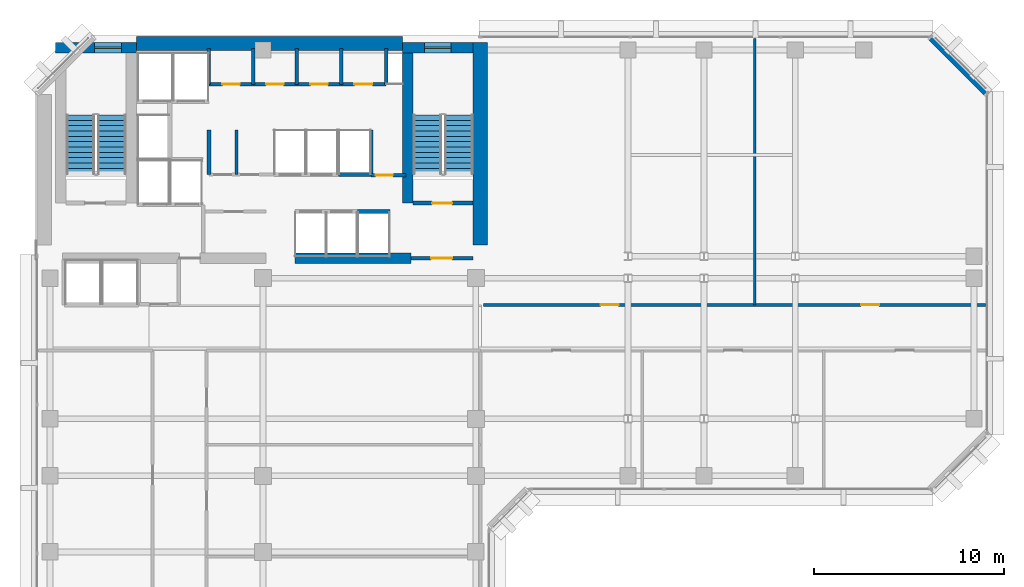
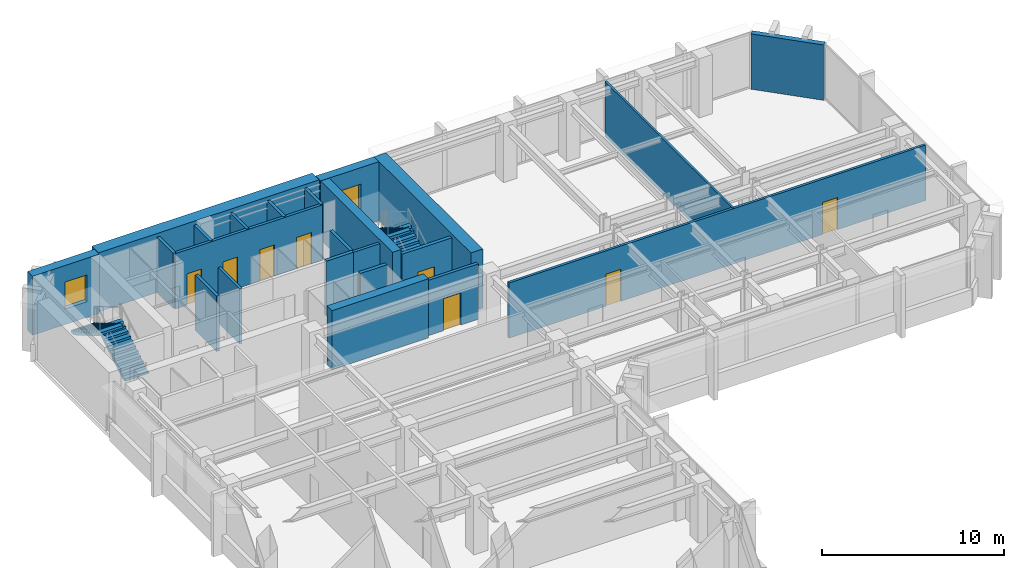
# One storey, part 8 of 11: 23 walls, 9 doors, 4 stair flights, 2 windows, 11 openings, 2 elements without a shape of their own.
"""IFC4 building model written with IfcOpenShell, lengths in metres."""

from ifc_helpers import new_model, si_unit, direction, frame, frame_2d, origin, place, context, subcontext, project, spatial, polyline, rectangle, outline, extrude, material, layer, layer_set, type_object, element, fill, aggregate, save


model = new_model("IFC4")

# Units and contexts
model_context = context("Model", 3, precision=1e-05, world=origin(), true_north=direction((0.0, 1.0)))
body_context = subcontext(model_context, "Body", "Model", "MODEL_VIEW")
ifc_project = project(units=[si_unit("LENGTHUNIT", "METRE"), si_unit("AREAUNIT", "SQUARE_METRE"), si_unit("VOLUMEUNIT", "CUBIC_METRE"), si_unit("PLANEANGLEUNIT", "RADIAN"), si_unit("MASSUNIT", "GRAM", prefix="KILO")], contexts=[model_context])

# Site, building, storey
site_placement = place(None, origin())
site = spatial("IfcSite", under=ifc_project, at=site_placement, CompositionType="ELEMENT")
building_placement = place(site_placement, origin())
building = spatial("IfcBuilding", under=site, at=building_placement, Name="Kefirva Bronze Tower", CompositionType="ELEMENT")
storey_placement = place(building_placement, frame((0.0, 0.0, 142.889892578125)))
storey = spatial("IfcBuildingStorey", under=building, at=storey_placement, Name="L34", CompositionType="ELEMENT", Elevation=142.889892578125)

# Wall
ifc_material_1 = material(Name="Gypsum acoustic partition")
ifc_layer_1 = layer(ifc_material_1, 0.1298828125, Name="Gypsum acoustic partition")
ifc_layer_set_1 = layer_set([ifc_layer_1], Name="Gypsum acoustic partition")
wall_type_1 = type_object("IfcWallType", Name="Acoustic Office Partition 130mm", PredefinedType="PARTITIONING", material=ifc_layer_set_1)
wall_1_placement = place(storey_placement, frame((37.861328125, 31.800048828125, 0.0), z_axis=(0.0, 0.0, 1.0), x_axis=(0.0, 1.0, 0.0)))
element("IfcWall", 1, at=wall_1_placement, inside=storey, type_object=wall_type_1, Name="L34 Partition W-L34-END1", PredefinedType="PARTITIONING", context=body_context, shape_type="SweptSolid", body=[
    extrude(rectangle(XDim=14.010009765625, YDim=0.1298828125, at=frame_2d((7.0048828125, 0.0))), origin(), (0.0, 0.0, 1.0), 3.710205078125),
])

# Wall, opening, door
ifc_material_2 = material(Name="Gypsum fireboard shaftwall")
ifc_layer_2 = layer(ifc_material_2, 0.219970703125, Name="Gypsum fireboard shaftwall")
ifc_layer_set_2 = layer_set([ifc_layer_2], Name="Gypsum fireboard shaftwall")
wall_type_2 = type_object("IfcWallType", Name="Fire-Rated Shaft Enclosure Wall 220mm", PredefinedType="PARTITIONING", material=ifc_layer_set_2)
wall_2_placement = place(storey_placement, frame((19.89990234375, 37.14990234375, 0.0), z_axis=(0.0, 0.0, 1.0), x_axis=(1.0, 0.0, 0.0)))
wall_2 = element("IfcWall", 2, at=wall_2_placement, inside=storey, type_object=wall_type_2, Name="L34 Partition W-L34-ST2S", PredefinedType="PARTITIONING", context=body_context, shape_type="SweptSolid", body=[
    extrude(rectangle(XDim=3.150146484375, YDim=0.219970703125, at=frame_2d((1.5751953125, 0.0))), origin(), (0.0, 0.0, 1.0), 3.710205078125),
])
opening_1_placement = place(wall_2_placement, frame((2.050048828125, 0.0, 0.0), z_axis=(0.0, 0.0, 1.0), x_axis=(-1.0, 0.0, 0.0)))
opening_1 = element("IfcOpeningElement", 3, at=opening_1_placement, cuts=wall_2, Name="Opening L34-D003", PredefinedType="OPENING", context=body_context, shape_type="SweptSolid", body=[
    extrude(rectangle(XDim=1.050048828125, YDim=2.14990234375, at=frame_2d((0.52490234375, 1.074951171875))), frame((0.0, 0.1201171875, 0.0), z_axis=(0.0, -1.0, 0.0), x_axis=(1.0, 0.0, 0.0)), (0.0, 0.0, 1.0), 0.239990234375),
])
ifc_material_3 = material(Name="Painted galvanized steel", Category="steel")
door_type_1 = type_object("IfcDoorType", Name="Fire Stair Enclosure Door 1050x2150 FD90S", OperationType="NOTDEFINED", PredefinedType="DOOR", material=ifc_material_3)
door_1_placement = place(opening_1_placement, origin())
door_1 = element("IfcDoor", 4, at=door_1_placement, inside=storey, type_object=door_type_1, Name="Door L34-D003", OperationType="SINGLE_SWING_RIGHT", OverallHeight=2.14990234375, OverallWidth=1.050048828125, PredefinedType="DOOR", context=body_context, shape_type="SweptSolid", body=[
    extrude(rectangle(XDim=1.050048828125, YDim=2.14990234375, at=frame_2d((0.52490234375, 1.074951171875))), frame((0.0, 0.02490234375, 0.0), z_axis=(0.0, -1.0, 0.0), x_axis=(1.0, 0.0, 0.0)), (0.0, 0.0, 1.0), 0.050048828125),
])
fill(opening_1, door_1)

# Walls
for number, where, z_axis, x_axis, name in (
    (5, (9.159912109375, 38.64990234375, 0.0), (0.0, 0.0, 1.0), (0.0, 1.0, 0.0), "L34 Partition W-L34-LP3W"),
    (6, (17.679931640625, 38.64990234375, 0.0), (0.0, 0.0, 1.0), (0.0, 1.0, 0.0), "L34 Partition W-L34-HP2E"),
):
    element("IfcWall", number, at=place(storey_placement, frame(where, z_axis=z_axis, x_axis=x_axis)), inside=storey, type_object=wall_type_2, Name=name, PredefinedType="PARTITIONING", context=body_context, shape_type="SweptSolid", body=[
        extrude(rectangle(XDim=2.35009765625, YDim=0.199951171875, at=frame_2d((1.175048828125, 0.0))), origin(), (0.0, 0.0, 1.0), 3.710205078125),
    ])
wall_3_placement = place(storey_placement, frame((16.97998046875, 36.699951171875, 0.0), z_axis=(0.0, 0.0, 1.0), x_axis=(1.0, 0.0, 0.0)))
element("IfcWall", 7, at=wall_3_placement, inside=storey, type_object=wall_type_2, Name="L34 Partition W-L34-HPS", PredefinedType="PARTITIONING", context=body_context, shape_type="SweptSolid", body=[
    extrude(rectangle(XDim=1.699951171875, YDim=0.219970703125, at=frame_2d((0.85009765625, 0.0))), origin(), (0.0, 0.0, 1.0), 3.710205078125),
])
wall_4_placement = place(storey_placement, frame((15.97998046875, 38.64990234375, 0.0), z_axis=(0.0, 0.0, 1.0), x_axis=(1.0, 0.0, 0.0)))
element("IfcWall", 8, at=wall_4_placement, inside=storey, type_object=wall_type_2, Name="L34 Partition W-L34-HPN", PredefinedType="PARTITIONING", context=body_context, shape_type="SweptSolid", body=[
    extrude(rectangle(XDim=1.719970703125, YDim=0.219970703125, at=frame_2d((0.85986328125, 0.0))), origin(), (0.0, 0.0, 1.0), 3.710205078125),
])

# Wall, opening, door
ifc_material_4 = material(Name="Gypsum fireboard barrier")
ifc_layer_3 = layer(ifc_material_4, 0.199951171875, Name="Gypsum fireboard barrier")
ifc_layer_set_3 = layer_set([ifc_layer_3], Name="Gypsum fireboard barrier")
wall_type_3 = type_object("IfcWallType", Name="Firefighting Lobby Barrier Wall 200mm", PredefinedType="PARTITIONING", material=ifc_layer_set_3)
wall_5_placement = place(storey_placement, frame((19.800048828125, 34.25, 0.0), z_axis=(0.0, 0.0, 1.0), x_axis=(1.0, 0.0, 0.0)))
wall_5 = element("IfcWall", 9, at=wall_5_placement, inside=storey, type_object=wall_type_3, Name="L34 Partition W-L34-ST2F", PredefinedType="PARTITIONING", context=body_context, shape_type="SweptSolid", body=[
    extrude(rectangle(XDim=3.25, YDim=0.199951171875, at=frame_2d((1.625, 0.0))), origin(), (0.0, 0.0, 1.0), 3.710205078125),
])
opening_2_placement = place(wall_5_placement, frame((2.150146484375, 0.0, 0.0), z_axis=(0.0, 0.0, 1.0), x_axis=(-1.0, 0.0, 0.0)))
opening_2 = element("IfcOpeningElement", 10, at=opening_2_placement, cuts=wall_5, Name="Opening L34-D004", PredefinedType="OPENING", context=body_context, shape_type="SweptSolid", body=[
    extrude(rectangle(XDim=1.10009765625, YDim=2.14990234375, at=frame_2d((0.550048828125, 1.074951171875))), frame((0.0, 0.10986328125, 0.0), z_axis=(0.0, -1.0, 0.0), x_axis=(1.0, 0.0, 0.0)), (0.0, 0.0, 1.0), 0.219970703125),
])
door_type_2 = type_object("IfcDoorType", Name="Firefighting Lobby Smoke Door 1100x2150 FD60S", OperationType="NOTDEFINED", PredefinedType="DOOR", material=ifc_material_3)
door_2_placement = place(opening_2_placement, origin())
door_2 = element("IfcDoor", 11, at=door_2_placement, inside=storey, type_object=door_type_2, Name="Door L34-D004", OperationType="SINGLE_SWING_LEFT", OverallHeight=2.14990234375, OverallWidth=1.10009765625, PredefinedType="DOOR", context=body_context, shape_type="SweptSolid", body=[
    extrude(rectangle(XDim=1.10009765625, YDim=2.14990234375, at=frame_2d((0.550048828125, 1.074951171875))), frame((0.0, 0.02490234375, 0.0), z_axis=(0.0, -1.0, 0.0), x_axis=(1.0, 0.0, 0.0)), (0.0, 0.0, 1.0), 0.050048828125),
])
fill(opening_2, door_2)

wall_6_placement = place(storey_placement, frame((17.679931640625, 38.6201171875, 0.0), z_axis=(0.0, 0.0, 1.0), x_axis=(1.0, 0.0, 0.0)))
wall_6 = element("IfcWall", 12, at=wall_6_placement, inside=storey, type_object=wall_type_3, Name="L34 Partition W-L34-CPASS", PredefinedType="PARTITIONING", context=body_context, shape_type="SweptSolid", body=[
    extrude(rectangle(XDim=1.840087890625, YDim=0.179931640625, at=frame_2d((0.919921875, 0.0))), origin(), (0.0, 0.0, 1.0), 3.710205078125),
])
opening_3_placement = place(wall_6_placement, frame((0.239990234375, 0.0, 0.0)))
opening_3 = element("IfcOpeningElement", 13, at=opening_3_placement, cuts=wall_6, Name="Opening L34-D-CPAS", PredefinedType="OPENING", context=body_context, shape_type="SweptSolid", body=[
    extrude(rectangle(XDim=0.919921875, YDim=2.10009765625, at=frame_2d((0.4599609375, 1.050048828125))), frame((0.0, 0.10009765625, 0.0), z_axis=(0.0, -1.0, 0.0), x_axis=(1.0, 0.0, 0.0)), (0.0, 0.0, 1.0), 0.199951171875),
])
ifc_material_5 = material(Name="Moisture-resistant timber", Category="wood")
door_type_3 = type_object("IfcDoorType", Name="Accessible Sanitary & WC Door 920x2100", OperationType="NOTDEFINED", PredefinedType="DOOR", material=ifc_material_5)
door_3_placement = place(opening_3_placement, origin())
door_3 = element("IfcDoor", 14, at=door_3_placement, inside=storey, type_object=door_type_3, Name="Door L34-D-CPAS", OperationType="SINGLE_SWING_RIGHT", OverallHeight=2.10009765625, OverallWidth=0.919921875, PredefinedType="DOOR", context=body_context, shape_type="SweptSolid", body=[
    extrude(rectangle(XDim=0.919921875, YDim=2.10009765625, at=frame_2d((0.4599609375, 1.050048828125))), frame((0.0, 0.02490234375, 0.0), z_axis=(0.0, -1.0, 0.0), x_axis=(1.0, 0.0, 0.0)), (0.0, 0.0, 1.0), 0.050048828125),
])
fill(opening_3, door_3)

# Walls
ifc_material_6 = material(Name="Precast concrete C40/50", Category="concrete")
ifc_layer_4 = layer(ifc_material_6, 0.320068359375, Name="Precast concrete C40/50")
ifc_layer_set_4 = layer_set([ifc_layer_4], Name="Precast concrete C40/50")
wall_type_4 = type_object("IfcWallType", Name="Precast Insulated Exterior Wall 320mm", PredefinedType="SOLIDWALL", material=ifc_layer_set_4)
wall_7_placement = place(storey_placement, frame((50.048095703125, 42.92578125, 0.0), z_axis=(0.0, 0.0, 1.0), x_axis=(-0.707136318428, 0.707077242712, 0.0)))
element("IfcWall", 15, at=wall_7_placement, inside=storey, type_object=wall_type_4, Name="L34 Exterior Facade Wall 4", PredefinedType="SOLIDWALL", context=body_context, shape_type="SweptSolid", body=[
    extrude(rectangle(XDim=4.132568359375, YDim=0.320068359375, at=frame_2d((2.06640625, 0.0))), origin(), (0.0, 0.0, 1.0), 3.710205078125),
])
ifc_layer_5 = layer(ifc_material_1, 0.159912109375, Name="Gypsum acoustic partition")
ifc_layer_set_5 = layer_set([ifc_layer_5], Name="Gypsum acoustic partition")
wall_type_5 = type_object("IfcWallType", Name="Protected Corridor Partition 160mm", PredefinedType="PARTITIONING", material=ifc_layer_set_5)
wall_8_placement = place(storey_placement, frame((10.60009765625, 38.64990234375, 0.0), z_axis=(0.0, 0.0, 1.0), x_axis=(0.0, 1.0, 0.0)))
element("IfcWall", 16, at=wall_8_placement, inside=storey, type_object=wall_type_5, Name="L34 Partition W-L34-RECLP2D", PredefinedType="PARTITIONING", context=body_context, shape_type="SweptSolid", body=[
    extrude(rectangle(XDim=2.35009765625, YDim=0.159912109375, at=frame_2d((1.175048828125, 0.0))), origin(), (0.0, 0.0, 1.0), 3.710205078125),
])

# Wall, openings, doors
wall_9_placement = place(storey_placement, frame((23.60009765625, 31.800048828125, 0.0), z_axis=(0.0, 0.0, 1.0), x_axis=(1.0, 0.0, 0.0)))
wall_9 = element("IfcWall", 17, at=wall_9_placement, inside=storey, type_object=wall_type_5, Name="L34 Partition W-L34-EWN", PredefinedType="PARTITIONING", context=body_context, shape_type="SweptSolid", body=[
    extrude(rectangle(XDim=26.409912109375, YDim=0.159912109375, at=frame_2d((13.205078125, 0.0))), origin(), (0.0, 0.0, 1.0), 3.710205078125),
])
opening_4_placement = place(wall_9_placement, frame((6.15576171875, 0.0, 0.0)))
opening_4 = element("IfcOpeningElement", 18, at=opening_4_placement, cuts=wall_9, Name="Opening L34-D-EN1", PredefinedType="OPENING", context=body_context, shape_type="SweptSolid", body=[
    extrude(rectangle(XDim=0.949951171875, YDim=2.14990234375, at=frame_2d((0.47509765625, 1.074951171875))), frame((0.0, 0.08984375, 0.0), z_axis=(0.0, -1.0, 0.0), x_axis=(1.0, 0.0, 0.0)), (0.0, 0.0, 1.0), 0.179931640625),
])
opening_5_placement = place(wall_9_placement, frame((19.860595703125, 0.0, 0.0)))
opening_5 = element("IfcOpeningElement", 19, at=opening_5_placement, cuts=wall_9, Name="Opening L34-D-EN2", PredefinedType="OPENING", context=body_context, shape_type="SweptSolid", body=[
    extrude(rectangle(XDim=0.949951171875, YDim=2.14990234375, at=frame_2d((0.47509765625, 1.074951171875))), frame((0.0, 0.08984375, 0.0), z_axis=(0.0, -1.0, 0.0), x_axis=(1.0, 0.0, 0.0)), (0.0, 0.0, 1.0), 0.179931640625),
])
ifc_material_7 = material(Name="Acoustic hardwood oak", Category="wood")
door_type_4 = type_object("IfcDoorType", Name="Office & Meeting Room Door 950x2150", OperationType="NOTDEFINED", PredefinedType="DOOR", material=ifc_material_7)
door_4_placement = place(opening_4_placement, origin())
door_4 = element("IfcDoor", 20, at=door_4_placement, inside=storey, type_object=door_type_4, Name="Door L34-D-EN1", OperationType="SINGLE_SWING_RIGHT", OverallHeight=2.14990234375, OverallWidth=0.949951171875, PredefinedType="DOOR", context=body_context, shape_type="SweptSolid", body=[
    extrude(rectangle(XDim=0.949951171875, YDim=2.14990234375, at=frame_2d((0.47509765625, 1.074951171875))), frame((0.0, 0.02490234375, 0.0), z_axis=(0.0, -1.0, 0.0), x_axis=(1.0, 0.0, 0.0)), (0.0, 0.0, 1.0), 0.050048828125),
])
fill(opening_4, door_4)
door_5_placement = place(opening_5_placement, origin())
door_5 = element("IfcDoor", 21, at=door_5_placement, inside=storey, type_object=door_type_4, Name="Door L34-D-EN2", OperationType="SINGLE_SWING_LEFT", OverallHeight=2.14990234375, OverallWidth=0.949951171875, PredefinedType="DOOR", context=body_context, shape_type="SweptSolid", body=[
    extrude(rectangle(XDim=0.949951171875, YDim=2.14990234375, at=frame_2d((0.47509765625, 1.074951171875))), frame((0.0, 0.02490234375, 0.0), z_axis=(0.0, -1.0, 0.0), x_axis=(1.0, 0.0, 0.0)), (0.0, 0.0, 1.0), 0.050048828125),
])
fill(opening_5, door_5)

# Wall, opening, window
ifc_material_8 = material(Name="Concrete C50/60", Category="concrete")
ifc_layer_6 = layer(ifc_material_8, 0.550048828125, Name="Concrete C50/60")
ifc_layer_set_6 = layer_set([ifc_layer_6], Name="Concrete C50/60")
wall_type_6 = type_object("IfcWallType", Name="RC Rear Core Exterior Wall 550mm", PredefinedType="SHEAR", material=ifc_layer_set_6)
wall_10_placement = place(storey_placement, frame((1.10009765625, 45.320068359375, 0.0), z_axis=(0.0, 0.0, 1.0), x_axis=(1.0, 0.0, 0.0)))
wall_10 = element("IfcWall", 22, at=wall_10_placement, inside=storey, type_object=wall_type_6, Name="L34 Stair 1 North Shear Wall", PredefinedType="SHEAR", context=body_context, shape_type="SweptSolid", body=[
    extrude(rectangle(XDim=4.239990234375, YDim=0.550048828125, at=frame_2d((2.1201171875, 0.0))), origin(), (0.0, 0.0, 1.0), 3.960205078125),
])
opening_6_placement = place(wall_10_placement, frame((2.050048828125, 0.0, 1.050048828125)))
opening_6 = element("IfcOpeningElement", 23, at=opening_6_placement, cuts=wall_10, Name="Opening WN-03", PredefinedType="OPENING", context=body_context, shape_type="SweptSolid", body=[
    extrude(rectangle(XDim=1.39990234375, YDim=1.800048828125, at=frame_2d((0.699951171875, 0.89990234375))), frame((0.0, 0.28515625, 0.0), z_axis=(0.0, -1.0, 0.0), x_axis=(1.0, 0.0, 0.0)), (0.0, 0.0, 1.0), 0.570068359375),
])
ifc_material_9 = material(Name="Laminated low-E double glazing", Category="glass")
window_type = type_object("IfcWindowType", Name="Rear-Core Stair Daylight Window 1400x1800", PartitioningType="SINGLE_PANEL", PredefinedType="WINDOW", material=ifc_material_9)
window_1_placement = place(opening_6_placement, origin())
window_1 = element("IfcWindow", 24, at=window_1_placement, inside=storey, type_object=window_type, Name="L34 Stair 1 Daylight Window", OverallHeight=1.800048828125, OverallWidth=1.39990234375, PartitioningType="SINGLE_PANEL", PredefinedType="WINDOW", context=body_context, shape_type="SweptSolid", body=[
    extrude(rectangle(XDim=1.39990234375, YDim=1.800048828125, at=frame_2d((0.699951171875, 0.89990234375))), frame((0.0, 0.030029296875, 0.0), z_axis=(0.0, -1.0, 0.0), x_axis=(1.0, 0.0, 0.0)), (0.0, 0.0, 1.0), 0.06005859375),
])
fill(opening_6, window_1)

wall_11_placement = place(storey_placement, frame((19.35009765625, 45.320068359375, 0.0), z_axis=(0.0, 0.0, 1.0), x_axis=(1.0, 0.0, 0.0)))
wall_11 = element("IfcWall", 25, at=wall_11_placement, inside=storey, type_object=wall_type_6, Name="L34 Stair 2 North Shear Wall", PredefinedType="SHEAR", context=body_context, shape_type="SweptSolid", body=[
    extrude(rectangle(XDim=3.68994140625, YDim=0.550048828125, at=frame_2d((1.844970703125, 0.0))), origin(), (0.0, 0.0, 1.0), 3.960205078125),
])
opening_7_placement = place(wall_11_placement, frame((1.14990234375, 0.0, 1.050048828125)))
opening_7 = element("IfcOpeningElement", 26, at=opening_7_placement, cuts=wall_11, Name="Opening WN-03", PredefinedType="OPENING", context=body_context, shape_type="SweptSolid", body=[
    extrude(rectangle(XDim=1.39990234375, YDim=1.800048828125, at=frame_2d((0.699951171875, 0.89990234375))), frame((0.0, 0.28515625, 0.0), z_axis=(0.0, -1.0, 0.0), x_axis=(1.0, 0.0, 0.0)), (0.0, 0.0, 1.0), 0.570068359375),
])
window_2_placement = place(opening_7_placement, origin())
window_2 = element("IfcWindow", 27, at=window_2_placement, inside=storey, type_object=window_type, Name="L34 Stair 2 Daylight Window", OverallHeight=1.800048828125, OverallWidth=1.39990234375, PartitioningType="SINGLE_PANEL", PredefinedType="WINDOW", context=body_context, shape_type="SweptSolid", body=[
    extrude(rectangle(XDim=1.39990234375, YDim=1.800048828125, at=frame_2d((0.699951171875, 0.89990234375))), frame((0.0, 0.030029296875, 0.0), z_axis=(0.0, -1.0, 0.0), x_axis=(1.0, 0.0, 0.0)), (0.0, 0.0, 1.0), 0.06005859375),
])
fill(opening_7, window_2)

# Walls
ifc_material_10 = material(Name="Concrete C60/75", Category="concrete")
ifc_layer_7 = layer(ifc_material_10, 0.75, Name="Concrete C60/75")
ifc_layer_set_7 = layer_set([ifc_layer_7], Name="Concrete C60/75")
wall_type_7 = type_object("IfcWallType", Name="RC Rear Core Exterior Wall 750mm", PredefinedType="SHEAR", material=ifc_layer_set_7)
wall_12_placement = place(storey_placement, frame((5.360107421875, 45.550048828125, 0.0), z_axis=(0.0, 0.0, 1.0), x_axis=(1.0, 0.0, 0.0)))
element("IfcWall", 28, at=wall_12_placement, inside=storey, type_object=wall_type_7, Name="L34 Rear Core North Shear Wall", PredefinedType="SHEAR", context=body_context, shape_type="SweptSolid", body=[
    extrude(rectangle(XDim=13.97998046875, YDim=0.75, at=frame_2d((6.989990234375, 0.0))), origin(), (0.0, 0.0, 1.0), 3.960205078125),
])
ifc_layer_8 = layer(ifc_material_8, 0.550048828125, Name="Concrete C50/60")
ifc_layer_set_8 = layer_set([ifc_layer_8], Name="Concrete C50/60")
wall_type_8 = type_object("IfcWallType", Name="RC Rear Core Interior Wall 550mm", PredefinedType="SHEAR", material=ifc_layer_set_8)
wall_13_placement = place(storey_placement, frame((19.6201171875, 37.14990234375, 0.0), z_axis=(0.0, 0.0, 1.0), x_axis=(0.0, 1.0, 0.0)))
element("IfcWall", 29, at=wall_13_placement, inside=storey, type_object=wall_type_8, Name="L34 Stair 2 West Shear Wall", PredefinedType="SHEAR", context=body_context, shape_type="SweptSolid", body=[
    extrude(rectangle(XDim=7.89013671875, YDim=0.550048828125, at=frame_2d((3.945068359375, 0.0))), origin(), (0.0, 0.0, 1.0), 3.960205078125),
])
ifc_layer_9 = layer(ifc_material_10, 0.75, Name="Concrete C60/75")
ifc_layer_set_9 = layer_set([ifc_layer_9], Name="Concrete C60/75")
wall_type_9 = type_object("IfcWallType", Name="RC Rear Core Interior Wall 750mm", PredefinedType="SHEAR", material=ifc_layer_set_9)
wall_14_placement = place(storey_placement, frame((23.425048828125, 34.949951171875, 0.0), z_axis=(0.0, 0.0, 1.0), x_axis=(0.0, 1.0, 0.0)))
element("IfcWall", 30, at=wall_14_placement, inside=storey, type_object=wall_type_9, Name="L34 Rear Core East Shear Wall", PredefinedType="SHEAR", context=body_context, shape_type="SweptSolid", body=[
    extrude(rectangle(XDim=10.64013671875, YDim=0.75, at=frame_2d((5.320068359375, 0.0))), origin(), (0.0, 0.0, 1.0), 3.960205078125),
])
wall_15_placement = place(storey_placement, frame((13.679931640625, 34.25, 0.0), z_axis=(0.0, 0.0, 1.0), x_axis=(1.0, 0.0, 0.0)))
element("IfcWall", 31, at=wall_15_placement, inside=storey, type_object=wall_type_9, Name="L34 Rear Core South-East Shear Wall", PredefinedType="SHEAR", context=body_context, shape_type="SweptSolid", body=[
    extrude(rectangle(XDim=6.1201171875, YDim=0.550048828125, at=frame_2d((3.06005859375, 0.0))), origin(), (0.0, 0.0, 1.0), 3.960205078125),
])

# Wall, openings, doors
ifc_material_11 = material(Name="Moisture-resistant partition")
ifc_layer_10 = layer(ifc_material_11, 0.179931640625, Name="Moisture-resistant partition")
ifc_layer_set_10 = layer_set([ifc_layer_10], Name="Moisture-resistant partition")
wall_type_10 = type_object("IfcWallType", Name="Sanitary Plumbing Chase Wall 180mm", PredefinedType="PLUMBINGWALL", material=ifc_layer_set_10)
wall_16_placement = place(storey_placement, frame((9.14990234375, 43.39990234375, 0.0), z_axis=(0.0, 0.0, 1.0), x_axis=(1.0, 0.0, 0.0)))
wall_16 = element("IfcWall", 32, at=wall_16_placement, inside=storey, type_object=wall_type_10, Name="L34 Partition W-L34-SVCS", PredefinedType="PLUMBINGWALL", context=body_context, shape_type="SweptSolid", body=[
    extrude(rectangle(XDim=9.330078125, YDim=0.179931640625, at=frame_2d((4.6650390625, 0.0))), origin(), (0.0, 0.0, 1.0), 3.710205078125),
])
opening_8_placement = place(wall_16_placement, frame((0.719970703125, 0.0, 0.0)))
opening_8 = element("IfcOpeningElement", 33, at=opening_8_placement, cuts=wall_16, Name="Opening L34-D-CSVC1", PredefinedType="OPENING", context=body_context, shape_type="SweptSolid", body=[
    extrude(rectangle(XDim=0.919921875, YDim=2.10009765625, at=frame_2d((0.4599609375, 1.050048828125))), frame((0.0, 0.10009765625, 0.0), z_axis=(0.0, -1.0, 0.0), x_axis=(1.0, 0.0, 0.0)), (0.0, 0.0, 1.0), 0.199951171875),
])
opening_9_placement = place(wall_16_placement, frame((3.02001953125, 0.0, 0.0)))
opening_9 = element("IfcOpeningElement", 34, at=opening_9_placement, cuts=wall_16, Name="Opening L34-D-CSVC2", PredefinedType="OPENING", context=body_context, shape_type="SweptSolid", body=[
    extrude(rectangle(XDim=0.919921875, YDim=2.10009765625, at=frame_2d((0.4599609375, 1.050048828125))), frame((0.0, 0.10009765625, 0.0), z_axis=(0.0, -1.0, 0.0), x_axis=(1.0, 0.0, 0.0)), (0.0, 0.0, 1.0), 0.199951171875),
])
opening_10_placement = place(wall_16_placement, frame((5.340087890625, 0.0, 0.0)))
opening_10 = element("IfcOpeningElement", 35, at=opening_10_placement, cuts=wall_16, Name="Opening L34-D-CSVC3", PredefinedType="OPENING", context=body_context, shape_type="SweptSolid", body=[
    extrude(rectangle(XDim=0.919921875, YDim=2.10009765625, at=frame_2d((0.4599609375, 1.050048828125))), frame((0.0, 0.10009765625, 0.0), z_axis=(0.0, -1.0, 0.0), x_axis=(1.0, 0.0, 0.0)), (0.0, 0.0, 1.0), 0.199951171875),
])
opening_11_placement = place(wall_16_placement, frame((7.659912109375, 0.0, 0.0)))
opening_11 = element("IfcOpeningElement", 36, at=opening_11_placement, cuts=wall_16, Name="Opening L34-D-CSVC4", PredefinedType="OPENING", context=body_context, shape_type="SweptSolid", body=[
    extrude(rectangle(XDim=0.949951171875, YDim=2.10009765625, at=frame_2d((0.47509765625, 1.050048828125))), frame((0.0, 0.10009765625, 0.0), z_axis=(0.0, -1.0, 0.0), x_axis=(1.0, 0.0, 0.0)), (0.0, 0.0, 1.0), 0.199951171875),
])
door_6_placement = place(opening_8_placement, origin())
door_6 = element("IfcDoor", 37, at=door_6_placement, inside=storey, type_object=door_type_3, Name="Door L34-D-CSVC1", OperationType="SINGLE_SWING_LEFT", OverallHeight=2.10009765625, OverallWidth=0.919921875, PredefinedType="DOOR", context=body_context, shape_type="SweptSolid", body=[
    extrude(rectangle(XDim=0.919921875, YDim=2.10009765625, at=frame_2d((0.4599609375, 1.050048828125))), frame((0.0, 0.02490234375, 0.0), z_axis=(0.0, -1.0, 0.0), x_axis=(1.0, 0.0, 0.0)), (0.0, 0.0, 1.0), 0.050048828125),
])
fill(opening_8, door_6)
door_7_placement = place(opening_9_placement, origin())
door_7 = element("IfcDoor", 38, at=door_7_placement, inside=storey, type_object=door_type_3, Name="Door L34-D-CSVC2", OperationType="SINGLE_SWING_RIGHT", OverallHeight=2.10009765625, OverallWidth=0.919921875, PredefinedType="DOOR", context=body_context, shape_type="SweptSolid", body=[
    extrude(rectangle(XDim=0.919921875, YDim=2.10009765625, at=frame_2d((0.4599609375, 1.050048828125))), frame((0.0, 0.02490234375, 0.0), z_axis=(0.0, -1.0, 0.0), x_axis=(1.0, 0.0, 0.0)), (0.0, 0.0, 1.0), 0.050048828125),
])
fill(opening_9, door_7)
door_8_placement = place(opening_10_placement, origin())
door_8 = element("IfcDoor", 39, at=door_8_placement, inside=storey, type_object=door_type_3, Name="Door L34-D-CSVC3", OperationType="SINGLE_SWING_LEFT", OverallHeight=2.10009765625, OverallWidth=0.919921875, PredefinedType="DOOR", context=body_context, shape_type="SweptSolid", body=[
    extrude(rectangle(XDim=0.919921875, YDim=2.10009765625, at=frame_2d((0.4599609375, 1.050048828125))), frame((0.0, 0.02490234375, 0.0), z_axis=(0.0, -1.0, 0.0), x_axis=(1.0, 0.0, 0.0)), (0.0, 0.0, 1.0), 0.050048828125),
])
fill(opening_10, door_8)
door_type_5 = type_object("IfcDoorType", Name="Riser & Plant Shaft Fire Door 950x2100 FD60S", OperationType="NOTDEFINED", PredefinedType="DOOR", material=ifc_material_3)
door_9_placement = place(opening_11_placement, origin())
door_9 = element("IfcDoor", 40, at=door_9_placement, inside=storey, type_object=door_type_5, Name="Door L34-D-CSVC4", OperationType="SINGLE_SWING_RIGHT", OverallHeight=2.10009765625, OverallWidth=0.949951171875, PredefinedType="DOOR", context=body_context, shape_type="SweptSolid", body=[
    extrude(rectangle(XDim=0.949951171875, YDim=2.10009765625, at=frame_2d((0.47509765625, 1.050048828125))), frame((0.0, 0.02490234375, 0.0), z_axis=(0.0, -1.0, 0.0), x_axis=(1.0, 0.0, 0.0)), (0.0, 0.0, 1.0), 0.050048828125),
])
fill(opening_11, door_9)

# Walls
for number, where, z_axis, x_axis, name in (
    (41, (9.14990234375, 43.39990234375, 0.0), (0.0, 0.0, 1.0), (0.0, 1.0, 0.0), "L34 Partition W-L34-SVCW"),
    (42, (18.47998046875, 43.39990234375, 0.0), (0.0, 0.0, 1.0), (0.0, 1.0, 0.0), "L34 Partition W-L34-SVCE"),
    (43, (11.47998046875, 43.39990234375, 0.0), (0.0, 0.0, 1.0), (0.0, 1.0, 0.0), "L34 Partition W-L34-CSVD-1"),
    (44, (13.780029296875, 43.39990234375, 0.0), (0.0, 0.0, 1.0), (0.0, 1.0, 0.0), "L34 Partition W-L34-CSVD-2"),
    (45, (16.1201171875, 43.39990234375, 0.0), (0.0, 0.0, 1.0), (0.0, 1.0, 0.0), "L34 Partition W-L34-CSVD-3"),
):
    element("IfcWall", number, at=place(storey_placement, frame(where, z_axis=z_axis, x_axis=x_axis)), inside=storey, type_object=wall_type_10, Name=name, PredefinedType="PLUMBINGWALL", context=body_context, shape_type="SweptSolid", body=[
        extrude(rectangle(XDim=1.880126953125, YDim=0.179931640625, at=frame_2d((0.93994140625, 0.0))), origin(), (0.0, 0.0, 1.0), 3.710205078125),
    ])

# Stair, stair flights
ifc_material_12 = material(Name="Concrete C40/50", Category="concrete")
stair_type = type_object("IfcStairType", Name="RC Dogleg Protected Stair 24R", PredefinedType="HALF_TURN_STAIR", material=ifc_material_12)
stair_1_placement = place(storey_placement, origin())
stair_1 = element("IfcStair", 46, at=stair_1_placement, inside=storey, type_object=stair_type, Name="L34 Protected Exit Stair 1", PredefinedType="HALF_TURN_STAIR")
stair_flight_type = type_object("IfcStairFlightType", Name="RC Straight Stair Flight 24R", PredefinedType="STRAIGHT", material=ifc_material_12)
stair_flight_1_placement = place(storey_placement, frame((4.050048828125, 38.699951171875, 0.0), z_axis=(0.0, 0.0, 1.0), x_axis=(0.0, 1.0, 0.0)))
stair_flight_1 = element("IfcStairFlight", 47, at=stair_flight_1_placement, type_object=stair_flight_type, Name="ST-1 flight 1", NumberOfRisers=12, NumberOfTreads=11, PredefinedType="STRAIGHT", RiserHeight=0.165, TreadLength=0.28, context=body_context, shape_type="SweptSolid", body=[
    extrude(outline(polyline([(0.0, 0.0), (0.0, 0.1650390625), (0.280029296875, 0.1650390625), (0.280029296875, 0.330078125), (0.56005859375, 0.330078125), (0.56005859375, 0.4951171875), (0.840087890625, 0.4951171875), (0.840087890625, 0.659912109375), (1.1201171875, 0.659912109375), (1.1201171875, 0.824951171875), (1.39990234375, 0.824951171875), (1.39990234375, 0.989990234375), (1.679931640625, 0.989990234375), (1.679931640625, 1.155029296875), (1.9599609375, 1.155029296875), (1.9599609375, 1.320068359375), (2.239990234375, 1.320068359375), (2.239990234375, 1.485107421875), (2.52001953125, 1.485107421875), (2.52001953125, 1.64990234375), (2.800048828125, 1.64990234375), (2.800048828125, 1.81494140625), (3.080078125, 1.81494140625), (3.080078125, 1.97998046875), (3.080078125, 1.64111328125), (0.295166015625, 0.0), (0.0, 0.0)])), frame((0.0, 0.75, 0.0), z_axis=(0.0, -1.0, 0.0), x_axis=(1.0, 0.0, 0.0)), (0.0, 0.0, 1.0), 1.5),
])
stair_flight_2_placement = place(storey_placement, frame((2.39990234375, 41.780029296875, 1.980224609375), z_axis=(0.0, 0.0, 1.0), x_axis=(0.0, -1.0, 0.0)))
stair_flight_2 = element("IfcStairFlight", 48, at=stair_flight_2_placement, type_object=stair_flight_type, Name="ST-1 flight 2", NumberOfRisers=12, NumberOfTreads=11, PredefinedType="STRAIGHT", RiserHeight=0.165, TreadLength=0.28, context=body_context, shape_type="SweptSolid", body=[
    extrude(outline(polyline([(0.0, 0.0), (0.0, 0.1650390625), (0.280029296875, 0.1650390625), (0.280029296875, 0.330078125), (0.56005859375, 0.330078125), (0.56005859375, 0.4951171875), (0.840087890625, 0.4951171875), (0.840087890625, 0.659912109375), (1.1201171875, 0.659912109375), (1.1201171875, 0.824951171875), (1.39990234375, 0.824951171875), (1.39990234375, 0.989990234375), (1.679931640625, 0.989990234375), (1.679931640625, 1.155029296875), (1.9599609375, 1.155029296875), (1.9599609375, 1.320068359375), (2.239990234375, 1.320068359375), (2.239990234375, 1.485107421875), (2.52001953125, 1.485107421875), (2.52001953125, 1.64990234375), (2.800048828125, 1.64990234375), (2.800048828125, 1.81494140625), (3.080078125, 1.81494140625), (3.080078125, 1.97998046875), (3.080078125, 1.64111328125), (0.295166015625, 0.0), (0.0, 0.0)])), frame((0.0, 0.75, 0.0), z_axis=(0.0, -1.0, 0.0), x_axis=(1.0, 0.0, 0.0)), (0.0, 0.0, 1.0), 1.5),
])
aggregate(stair_1, [stair_flight_1, stair_flight_2])

stair_2_placement = place(storey_placement, origin())
stair_2 = element("IfcStair", 49, at=stair_2_placement, inside=storey, type_object=stair_type, Name="L34 Protected Exit Stair 2", PredefinedType="HALF_TURN_STAIR")
stair_flight_3_placement = place(storey_placement, frame((22.300048828125, 38.699951171875, 0.0), z_axis=(0.0, 0.0, 1.0), x_axis=(0.0, 1.0, 0.0)))
stair_flight_3 = element("IfcStairFlight", 50, at=stair_flight_3_placement, type_object=stair_flight_type, Name="ST-2 flight 1", NumberOfRisers=12, NumberOfTreads=11, PredefinedType="STRAIGHT", RiserHeight=0.165, TreadLength=0.28, context=body_context, shape_type="SweptSolid", body=[
    extrude(outline(polyline([(0.0, 0.0), (0.0, 0.1650390625), (0.280029296875, 0.1650390625), (0.280029296875, 0.330078125), (0.56005859375, 0.330078125), (0.56005859375, 0.4951171875), (0.840087890625, 0.4951171875), (0.840087890625, 0.659912109375), (1.1201171875, 0.659912109375), (1.1201171875, 0.824951171875), (1.39990234375, 0.824951171875), (1.39990234375, 0.989990234375), (1.679931640625, 0.989990234375), (1.679931640625, 1.155029296875), (1.9599609375, 1.155029296875), (1.9599609375, 1.320068359375), (2.239990234375, 1.320068359375), (2.239990234375, 1.485107421875), (2.52001953125, 1.485107421875), (2.52001953125, 1.64990234375), (2.800048828125, 1.64990234375), (2.800048828125, 1.81494140625), (3.080078125, 1.81494140625), (3.080078125, 1.97998046875), (3.080078125, 1.64111328125), (0.295166015625, 0.0), (0.0, 0.0)])), frame((0.0, 0.75, 0.0), z_axis=(0.0, -1.0, 0.0), x_axis=(1.0, 0.0, 0.0)), (0.0, 0.0, 1.0), 1.5),
])
stair_flight_4_placement = place(storey_placement, frame((20.64990234375, 41.780029296875, 1.980224609375), z_axis=(0.0, 0.0, 1.0), x_axis=(0.0, -1.0, 0.0)))
stair_flight_4 = element("IfcStairFlight", 51, at=stair_flight_4_placement, type_object=stair_flight_type, Name="ST-2 flight 2", NumberOfRisers=12, NumberOfTreads=11, PredefinedType="STRAIGHT", RiserHeight=0.165, TreadLength=0.28, context=body_context, shape_type="SweptSolid", body=[
    extrude(outline(polyline([(0.0, 0.0), (0.0, 0.1650390625), (0.280029296875, 0.1650390625), (0.280029296875, 0.330078125), (0.56005859375, 0.330078125), (0.56005859375, 0.4951171875), (0.840087890625, 0.4951171875), (0.840087890625, 0.659912109375), (1.1201171875, 0.659912109375), (1.1201171875, 0.824951171875), (1.39990234375, 0.824951171875), (1.39990234375, 0.989990234375), (1.679931640625, 0.989990234375), (1.679931640625, 1.155029296875), (1.9599609375, 1.155029296875), (1.9599609375, 1.320068359375), (2.239990234375, 1.320068359375), (2.239990234375, 1.485107421875), (2.52001953125, 1.485107421875), (2.52001953125, 1.64990234375), (2.800048828125, 1.64990234375), (2.800048828125, 1.81494140625), (3.080078125, 1.81494140625), (3.080078125, 1.97998046875), (3.080078125, 1.64111328125), (0.295166015625, 0.0), (0.0, 0.0)])), frame((0.0, 0.75, 0.0), z_axis=(0.0, -1.0, 0.0), x_axis=(1.0, 0.0, 0.0)), (0.0, 0.0, 1.0), 1.5),
])
aggregate(stair_2, [stair_flight_3, stair_flight_4])

save(model, "model.ifc")
